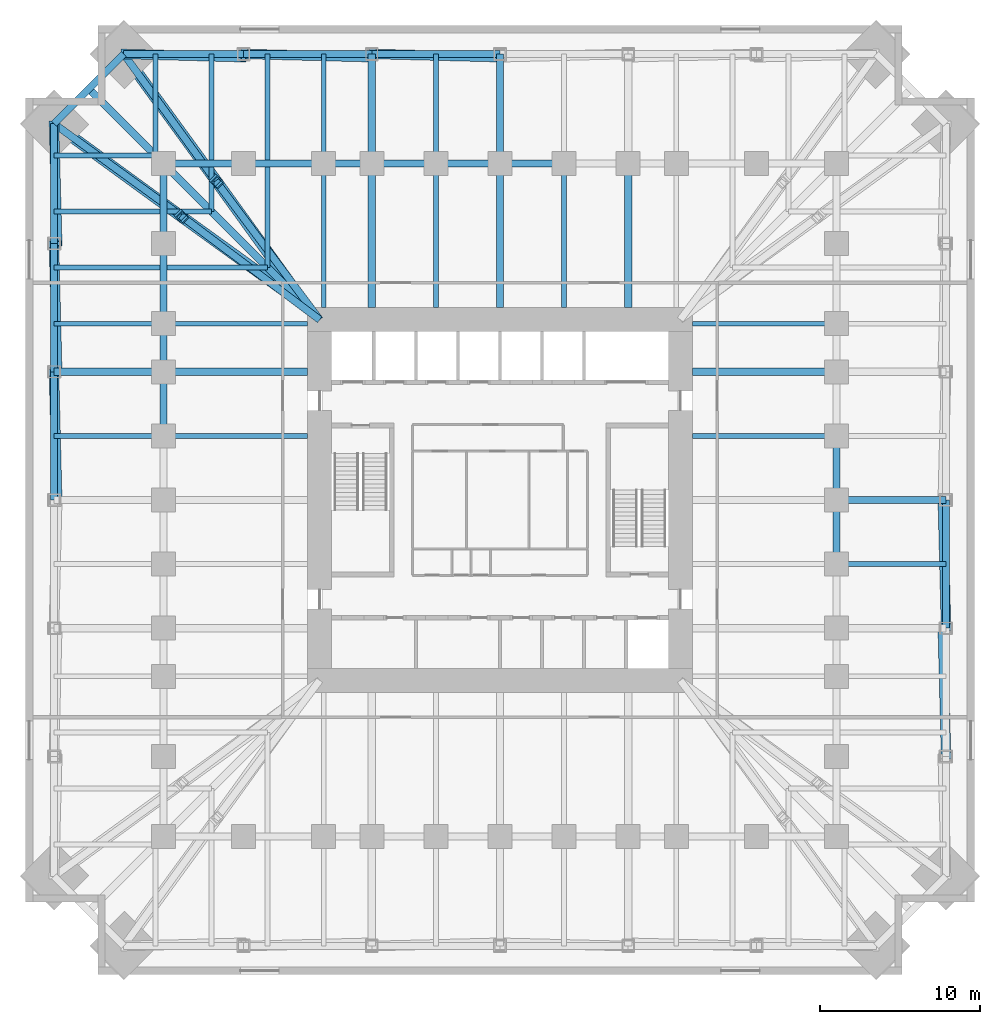
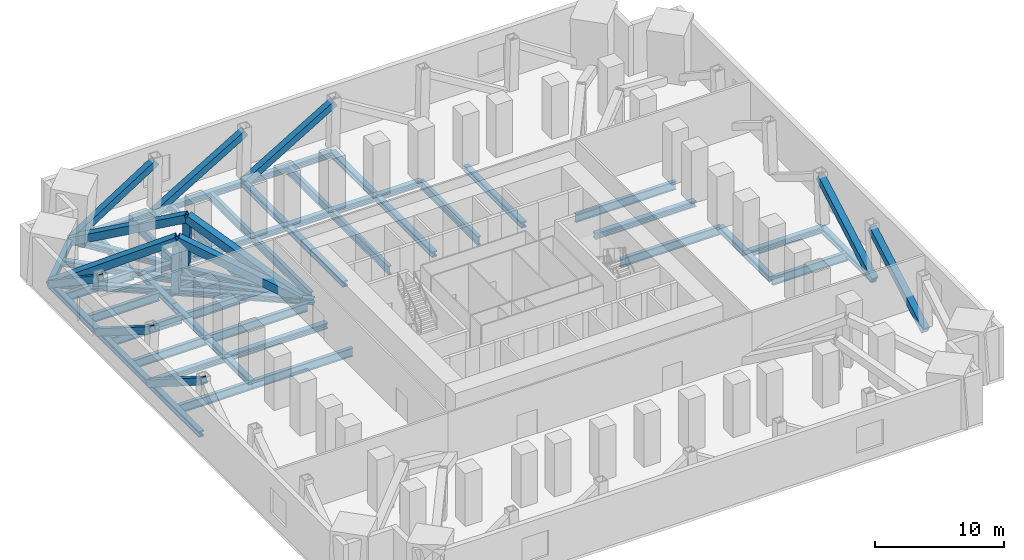
# One storey, part 3 of 9: 46 beams, 25 members.
"""IFC4 building model written with IfcOpenShell, lengths in metres."""

from ifc_helpers import new_model, si_unit, direction, frame, origin, origin_2d, place, context, subcontext, project, spatial, hollow_rectangle, i_section, extrude, material, material_profile, profile_set, type_object, element, save


model = new_model("IFC4")

# Units and contexts
model_context = context("Model", 3, precision=1e-05, world=origin(), true_north=direction((0.0, 1.0)))
body_context = subcontext(model_context, "Body", "Model", "MODEL_VIEW")
ifc_project = project(units=[si_unit("LENGTHUNIT", "METRE"), si_unit("AREAUNIT", "SQUARE_METRE"), si_unit("VOLUMEUNIT", "CUBIC_METRE"), si_unit("PLANEANGLEUNIT", "RADIAN"), si_unit("MASSUNIT", "GRAM", prefix="KILO")], contexts=[model_context])

# Site, building, storey
site_placement = place(None, origin())
site = spatial("IfcSite", under=ifc_project, at=site_placement, CompositionType="ELEMENT")
building_placement = place(site_placement, origin())
building = spatial("IfcBuilding", under=site, at=building_placement, Name="Peilmerk Tower", CompositionType="ELEMENT")
storey_placement = place(building_placement, frame((0.0, 0.0, 76.0)))
storey = spatial("IfcBuildingStorey", under=building, at=storey_placement, Name="L14", CompositionType="ELEMENT", Elevation=76.0)

# Beams
ifc_material = material(Name="Steel S460", Category="steel")
ifc_material_profile_1 = material_profile(ifc_material, i_section(OverallWidth=0.4541015625, OverallDepth=0.569091796875, WebThickness=0.077880859375, FlangeThickness=0.125, at=origin_2d()), Name="HD 400x1086")
ifc_profile_set_1 = profile_set([ifc_material_profile_1], Name="Steel S460")
beam_type_1 = type_object("IfcBeamType", Name="B17 HD 400x1086 edge beam", PredefinedType="SPANDREL", material=ifc_profile_set_1)
beam_1_placement = place(storey_placement, frame((-27.832275390625, 23.482177734375, -0.534423828125), z_axis=(0.707106781187, 0.707106781187, 0.0), x_axis=(-0.707106781187, 0.707106781187, 0.0)))
element("IfcBeam", 1, at=beam_1_placement, inside=storey, type_object=beam_type_1, Name="Notch beam L14", PredefinedType="SPANDREL", context=body_context, shape_type="SweptSolid", body=[
    extrude(i_section(OverallWidth=0.4541015625, OverallDepth=0.569091796875, WebThickness=0.077880859375, FlangeThickness=0.125, at=origin_2d()), origin(), (0.0, 0.0, 1.0), 6.15185546875),
])
ifc_material_profile_2 = material_profile(ifc_material, i_section(OverallWidth=0.302978515625, OverallDepth=0.81396484375, WebThickness=0.02099609375, FlangeThickness=0.0400390625, at=origin_2d()), Name="HEM 800")
ifc_profile_set_2 = profile_set([ifc_material_profile_2], Name="Steel S460")
beam_type_2 = type_object("IfcBeamType", Name="B26 HEM 800 floor beam", PredefinedType="BEAM", material=ifc_profile_set_2)
for number, where, z_axis, x_axis, name in (
    (2, (4.0, 12.0, -0.656982421875), (0.0, 1.0, 0.0), (-1.0, 0.0, 0.0), "Floor beam L14"),
    (3, (-4.0, 12.0, -0.656982421875), (0.0, 1.0, 0.0), (-1.0, 0.0, 0.0), "Floor beam L14"),
):
    element("IfcBeam", number, at=place(storey_placement, frame(where, z_axis=z_axis, x_axis=x_axis)), inside=storey, type_object=beam_type_2, Name=name, PredefinedType="BEAM", context=body_context, shape_type="SweptSolid", body=[
        extrude(i_section(OverallWidth=0.302978515625, OverallDepth=0.81396484375, WebThickness=0.02099609375, FlangeThickness=0.0400390625, at=origin_2d()), origin(), (0.0, 0.0, 1.0), 9.0),
    ])
beam_2_placement = place(storey_placement, frame((-4.0, 21.0, -0.656982421875), z_axis=(0.0, 1.0, 0.0), x_axis=(-1.0, 0.0, 0.0)))
element("IfcBeam", 4, at=beam_2_placement, inside=storey, type_object=beam_type_2, Name="Floor beam L14", PredefinedType="BEAM", context=body_context, shape_type="SweptSolid", body=[
    extrude(i_section(OverallWidth=0.302978515625, OverallDepth=0.81396484375, WebThickness=0.02099609375, FlangeThickness=0.0400390625, at=origin_2d()), origin(), (0.0, 0.0, 1.0), 6.832275390625),
])
beam_3_placement = place(storey_placement, frame((-11.0, 12.0, -0.656982421875), z_axis=(0.0, 1.0, 0.0), x_axis=(-1.0, 0.0, 0.0)))
element("IfcBeam", 5, at=beam_3_placement, inside=storey, type_object=beam_type_2, Name="Floor beam L14", PredefinedType="BEAM", context=body_context, shape_type="SweptSolid", body=[
    extrude(i_section(OverallWidth=0.302978515625, OverallDepth=0.81396484375, WebThickness=0.02099609375, FlangeThickness=0.0400390625, at=origin_2d()), origin(), (0.0, 0.0, 1.0), 9.0),
])
for number, where, z_axis, x_axis, name in (
    (6, (-11.0, 21.0, -0.656982421875), (0.0, 1.0, 0.0), (-1.0, 0.0, 0.0), "Floor beam L14"),
    (7, (21.0, -4.0, -0.656982421875), (1.0, 0.0, 0.0), (0.0, 1.0, 0.0), "Floor beam L14"),
):
    element("IfcBeam", number, at=place(storey_placement, frame(where, z_axis=z_axis, x_axis=x_axis)), inside=storey, type_object=beam_type_2, Name=name, PredefinedType="BEAM", context=body_context, shape_type="SweptSolid", body=[
        extrude(i_section(OverallWidth=0.302978515625, OverallDepth=0.81396484375, WebThickness=0.02099609375, FlangeThickness=0.0400390625, at=origin_2d()), origin(), (0.0, 0.0, 1.0), 6.832275390625),
    ])
for number, where, z_axis, x_axis, name in (
    (8, (12.0, 4.0, -0.656982421875), (1.0, 0.0, 0.0), (0.0, 1.0, 0.0), "Floor beam L14"),
    (9, (12.0, 11.0, -0.656982421875), (1.0, 0.0, 0.0), (0.0, 1.0, 0.0), "Floor beam L14"),
    (10, (-12.0, 11.0, -0.656982421875), (-1.0, 0.0, 0.0), (0.0, -1.0, 0.0), "Floor beam L14"),
):
    element("IfcBeam", number, at=place(storey_placement, frame(where, z_axis=z_axis, x_axis=x_axis)), inside=storey, type_object=beam_type_2, Name=name, PredefinedType="BEAM", context=body_context, shape_type="SweptSolid", body=[
        extrude(i_section(OverallWidth=0.302978515625, OverallDepth=0.81396484375, WebThickness=0.02099609375, FlangeThickness=0.0400390625, at=origin_2d()), origin(), (0.0, 0.0, 1.0), 9.0),
    ])
beam_4_placement = place(storey_placement, frame((-21.0, 11.0, -0.656982421875), z_axis=(-1.0, 0.0, 0.0), x_axis=(0.0, -1.0, 0.0)))
element("IfcBeam", 11, at=beam_4_placement, inside=storey, type_object=beam_type_2, Name="Floor beam L14", PredefinedType="BEAM", context=body_context, shape_type="SweptSolid", body=[
    extrude(i_section(OverallWidth=0.302978515625, OverallDepth=0.81396484375, WebThickness=0.02099609375, FlangeThickness=0.0400390625, at=origin_2d()), origin(), (0.0, 0.0, 1.0), 6.832275390625),
])
beam_5_placement = place(storey_placement, frame((-12.0, 4.0, -0.656982421875), z_axis=(-1.0, 0.0, 0.0), x_axis=(0.0, -1.0, 0.0)))
element("IfcBeam", 12, at=beam_5_placement, inside=storey, type_object=beam_type_2, Name="Floor beam L14", PredefinedType="BEAM", context=body_context, shape_type="SweptSolid", body=[
    extrude(i_section(OverallWidth=0.302978515625, OverallDepth=0.81396484375, WebThickness=0.02099609375, FlangeThickness=0.0400390625, at=origin_2d()), origin(), (0.0, 0.0, 1.0), 9.0),
])
beam_6_placement = place(storey_placement, frame((-21.0, 4.0, -0.656982421875), z_axis=(-1.0, 0.0, 0.0), x_axis=(0.0, -1.0, 0.0)))
element("IfcBeam", 13, at=beam_6_placement, inside=storey, type_object=beam_type_2, Name="Floor beam L14", PredefinedType="BEAM", context=body_context, shape_type="SweptSolid", body=[
    extrude(i_section(OverallWidth=0.302978515625, OverallDepth=0.81396484375, WebThickness=0.02099609375, FlangeThickness=0.0400390625, at=origin_2d()), origin(), (0.0, 0.0, 1.0), 6.832275390625),
])
beam_7_placement = place(storey_placement, frame((-14.5, 14.5, -0.656982421875), z_axis=(0.0, 1.0, 0.0), x_axis=(-1.0, 0.0, 0.0)))
element("IfcBeam", 14, at=beam_7_placement, inside=storey, type_object=beam_type_2, Name="Floor beam L14", PredefinedType="BEAM", context=body_context, shape_type="SweptSolid", body=[
    extrude(i_section(OverallWidth=0.302978515625, OverallDepth=0.81396484375, WebThickness=0.02099609375, FlangeThickness=0.0400390625, at=origin_2d()), origin(), (0.0, 0.0, 1.0), 6.27294921875),
])
beam_8_placement = place(storey_placement, frame((-14.5, 21.22705078125, -0.656982421875), z_axis=(0.0, 1.0, 0.0), x_axis=(-1.0, 0.0, 0.0)))
element("IfcBeam", 15, at=beam_8_placement, inside=storey, type_object=beam_type_2, Name="Floor beam L14", PredefinedType="BEAM", context=body_context, shape_type="SweptSolid", body=[
    extrude(i_section(OverallWidth=0.302978515625, OverallDepth=0.81396484375, WebThickness=0.02099609375, FlangeThickness=0.0400390625, at=origin_2d()), origin(), (0.0, 0.0, 1.0), 6.605224609375),
])
beam_9_placement = place(storey_placement, frame((-14.5, 14.5, -0.656982421875), z_axis=(-1.0, 0.0, 0.0), x_axis=(0.0, -1.0, 0.0)))
element("IfcBeam", 16, at=beam_9_placement, inside=storey, type_object=beam_type_2, Name="Floor beam L14", PredefinedType="BEAM", context=body_context, shape_type="SweptSolid", body=[
    extrude(i_section(OverallWidth=0.302978515625, OverallDepth=0.81396484375, WebThickness=0.02099609375, FlangeThickness=0.0400390625, at=origin_2d()), origin(), (0.0, 0.0, 1.0), 6.27294921875),
])
beam_10_placement = place(storey_placement, frame((-21.22705078125, 14.5, -0.656982421875), z_axis=(-1.0, 0.0, 0.0), x_axis=(0.0, -1.0, 0.0)))
element("IfcBeam", 17, at=beam_10_placement, inside=storey, type_object=beam_type_2, Name="Floor beam L14", PredefinedType="BEAM", context=body_context, shape_type="SweptSolid", body=[
    extrude(i_section(OverallWidth=0.302978515625, OverallDepth=0.81396484375, WebThickness=0.02099609375, FlangeThickness=0.0400390625, at=origin_2d()), origin(), (0.0, 0.0, 1.0), 6.605224609375),
])
beam_11_placement = place(storey_placement, frame((-18.0, 18.0, -0.656982421875), z_axis=(0.0, 1.0, 0.0), x_axis=(-1.0, 0.0, 0.0)))
element("IfcBeam", 18, at=beam_11_placement, inside=storey, type_object=beam_type_2, Name="Floor beam L14", PredefinedType="BEAM", context=body_context, shape_type="SweptSolid", body=[
    extrude(i_section(OverallWidth=0.302978515625, OverallDepth=0.81396484375, WebThickness=0.02099609375, FlangeThickness=0.0400390625, at=origin_2d()), origin(), (0.0, 0.0, 1.0), 2.77294921875),
])
beam_12_placement = place(storey_placement, frame((-18.0, 21.22705078125, -0.656982421875), z_axis=(0.0, 1.0, 0.0), x_axis=(-1.0, 0.0, 0.0)))
element("IfcBeam", 19, at=beam_12_placement, inside=storey, type_object=beam_type_2, Name="Floor beam L14", PredefinedType="BEAM", context=body_context, shape_type="SweptSolid", body=[
    extrude(i_section(OverallWidth=0.302978515625, OverallDepth=0.81396484375, WebThickness=0.02099609375, FlangeThickness=0.0400390625, at=origin_2d()), origin(), (0.0, 0.0, 1.0), 6.605224609375),
])
beam_13_placement = place(storey_placement, frame((-18.0, 18.0, -0.656982421875), z_axis=(-1.0, 0.0, 0.0), x_axis=(0.0, -1.0, 0.0)))
element("IfcBeam", 20, at=beam_13_placement, inside=storey, type_object=beam_type_2, Name="Floor beam L14", PredefinedType="BEAM", context=body_context, shape_type="SweptSolid", body=[
    extrude(i_section(OverallWidth=0.302978515625, OverallDepth=0.81396484375, WebThickness=0.02099609375, FlangeThickness=0.0400390625, at=origin_2d()), origin(), (0.0, 0.0, 1.0), 2.77294921875),
])
beam_14_placement = place(storey_placement, frame((-21.22705078125, 18.0, -0.656982421875), z_axis=(-1.0, 0.0, 0.0), x_axis=(0.0, -1.0, 0.0)))
element("IfcBeam", 21, at=beam_14_placement, inside=storey, type_object=beam_type_2, Name="Floor beam L14", PredefinedType="BEAM", context=body_context, shape_type="SweptSolid", body=[
    extrude(i_section(OverallWidth=0.302978515625, OverallDepth=0.81396484375, WebThickness=0.02099609375, FlangeThickness=0.0400390625, at=origin_2d()), origin(), (0.0, 0.0, 1.0), 6.605224609375),
])
for number, where, z_axis, x_axis, name in (
    (22, (-21.5, 21.5, -0.656982421875), (0.0, 1.0, 0.0), (-1.0, 0.0, 0.0), "Floor beam L14"),
    (23, (-21.5, 21.5, -0.656982421875), (-1.0, 0.0, 0.0), (0.0, -1.0, 0.0), "Floor beam L14"),
):
    element("IfcBeam", number, at=place(storey_placement, frame(where, z_axis=z_axis, x_axis=x_axis)), inside=storey, type_object=beam_type_2, Name=name, PredefinedType="BEAM", context=body_context, shape_type="SweptSolid", body=[
        extrude(i_section(OverallWidth=0.302978515625, OverallDepth=0.81396484375, WebThickness=0.02099609375, FlangeThickness=0.0400390625, at=origin_2d()), origin(), (0.0, 0.0, 1.0), 6.332275390625),
    ])
ifc_material_profile_3 = material_profile(ifc_material, i_section(OverallWidth=0.4541015625, OverallDepth=0.569091796875, WebThickness=0.077880859375, FlangeThickness=0.125, at=origin_2d()), Name="HD 400x1086")
ifc_profile_set_3 = profile_set([ifc_material_profile_3], Name="Steel S460")
beam_type_3 = type_object("IfcBeamType", Name="B9 HD 400x1086 corner girder", PredefinedType="BEAM", material=ifc_profile_set_3)
for number, where, z_axis, x_axis, name in (
    (24, (8.0, 12.0, -0.534423828125), (0.0, 1.0, 0.0), (-1.0, 0.0, 0.0), "Floor girder L14"),
    (25, (0.0, 12.0, -0.534423828125), (0.0, 1.0, 0.0), (-1.0, 0.0, 0.0), "Floor girder L14"),
):
    element("IfcBeam", number, at=place(storey_placement, frame(where, z_axis=z_axis, x_axis=x_axis)), inside=storey, type_object=beam_type_3, Name=name, PredefinedType="BEAM", context=body_context, shape_type="SweptSolid", body=[
        extrude(i_section(OverallWidth=0.4541015625, OverallDepth=0.569091796875, WebThickness=0.077880859375, FlangeThickness=0.125, at=origin_2d()), origin(), (0.0, 0.0, 1.0), 9.0),
    ])
beam_15_placement = place(storey_placement, frame((0.0, 21.0, -0.534423828125), z_axis=(0.0, 1.0, 0.0), x_axis=(-1.0, 0.0, 0.0)))
element("IfcBeam", 26, at=beam_15_placement, inside=storey, type_object=beam_type_3, Name="Floor girder L14", PredefinedType="BEAM", context=body_context, shape_type="SweptSolid", body=[
    extrude(i_section(OverallWidth=0.4541015625, OverallDepth=0.569091796875, WebThickness=0.077880859375, FlangeThickness=0.125, at=origin_2d()), origin(), (0.0, 0.0, 1.0), 6.832275390625),
])
beam_16_placement = place(storey_placement, frame((-8.0, 12.0, -0.534423828125), z_axis=(0.0, 1.0, 0.0), x_axis=(-1.0, 0.0, 0.0)))
element("IfcBeam", 27, at=beam_16_placement, inside=storey, type_object=beam_type_3, Name="Floor girder L14", PredefinedType="BEAM", context=body_context, shape_type="SweptSolid", body=[
    extrude(i_section(OverallWidth=0.4541015625, OverallDepth=0.569091796875, WebThickness=0.077880859375, FlangeThickness=0.125, at=origin_2d()), origin(), (0.0, 0.0, 1.0), 9.0),
])
beam_17_placement = place(storey_placement, frame((-8.0, 21.0, -0.534423828125), z_axis=(0.0, 1.0, 0.0), x_axis=(-1.0, 0.0, 0.0)))
element("IfcBeam", 28, at=beam_17_placement, inside=storey, type_object=beam_type_3, Name="Floor girder L14", PredefinedType="BEAM", context=body_context, shape_type="SweptSolid", body=[
    extrude(i_section(OverallWidth=0.4541015625, OverallDepth=0.569091796875, WebThickness=0.077880859375, FlangeThickness=0.125, at=origin_2d()), origin(), (0.0, 0.0, 1.0), 6.832275390625),
])
for number, where, z_axis, x_axis, name in (
    (29, (4.0, 21.0, -0.534423828125), (-1.0, 0.0, 0.0), (0.0, -1.0, 0.0), "Ring girder L14"),
    (30, (0.0, 21.0, -0.534423828125), (-1.0, 0.0, 0.0), (0.0, -1.0, 0.0), "Ring girder L14"),
    (31, (-4.0, 21.0, -0.534423828125), (-1.0, 0.0, 0.0), (0.0, -1.0, 0.0), "Ring girder L14"),
):
    element("IfcBeam", number, at=place(storey_placement, frame(where, z_axis=z_axis, x_axis=x_axis)), inside=storey, type_object=beam_type_3, Name=name, PredefinedType="BEAM", context=body_context, shape_type="SweptSolid", body=[
        extrude(i_section(OverallWidth=0.4541015625, OverallDepth=0.569091796875, WebThickness=0.077880859375, FlangeThickness=0.125, at=origin_2d()), origin(), (0.0, 0.0, 1.0), 4.0),
    ])
beam_18_placement = place(storey_placement, frame((-8.0, 21.0, -0.534423828125), z_axis=(-1.0, 0.0, 0.0), x_axis=(0.0, -1.0, 0.0)))
element("IfcBeam", 32, at=beam_18_placement, inside=storey, type_object=beam_type_3, Name="Ring girder L14", PredefinedType="BEAM", context=body_context, shape_type="SweptSolid", body=[
    extrude(i_section(OverallWidth=0.4541015625, OverallDepth=0.569091796875, WebThickness=0.077880859375, FlangeThickness=0.125, at=origin_2d()), origin(), (0.0, 0.0, 1.0), 3.0),
])
for number, where, z_axis, x_axis, name in (
    (33, (-11.0, 21.0, -0.534423828125), (-1.0, 0.0, 0.0), (0.0, -1.0, 0.0), "Ring girder L14"),
    (34, (-16.0, 21.0, -0.534423828125), (-1.0, 0.0, 0.0), (0.0, -1.0, 0.0), "Ring girder L14"),
):
    element("IfcBeam", number, at=place(storey_placement, frame(where, z_axis=z_axis, x_axis=x_axis)), inside=storey, type_object=beam_type_3, Name=name, PredefinedType="BEAM", context=body_context, shape_type="SweptSolid", body=[
        extrude(i_section(OverallWidth=0.4541015625, OverallDepth=0.569091796875, WebThickness=0.077880859375, FlangeThickness=0.125, at=origin_2d()), origin(), (0.0, 0.0, 1.0), 5.0),
    ])
beam_19_placement = place(storey_placement, frame((21.0, 0.0, -0.534423828125), z_axis=(1.0, 0.0, 0.0), x_axis=(0.0, 1.0, 0.0)))
element("IfcBeam", 35, at=beam_19_placement, inside=storey, type_object=beam_type_3, Name="Floor girder L14", PredefinedType="BEAM", context=body_context, shape_type="SweptSolid", body=[
    extrude(i_section(OverallWidth=0.4541015625, OverallDepth=0.569091796875, WebThickness=0.077880859375, FlangeThickness=0.125, at=origin_2d()), origin(), (0.0, 0.0, 1.0), 6.832275390625),
])
beam_20_placement = place(storey_placement, frame((12.0, 8.0, -0.534423828125), z_axis=(1.0, 0.0, 0.0), x_axis=(0.0, 1.0, 0.0)))
element("IfcBeam", 36, at=beam_20_placement, inside=storey, type_object=beam_type_3, Name="Floor girder L14", PredefinedType="BEAM", context=body_context, shape_type="SweptSolid", body=[
    extrude(i_section(OverallWidth=0.4541015625, OverallDepth=0.569091796875, WebThickness=0.077880859375, FlangeThickness=0.125, at=origin_2d()), origin(), (0.0, 0.0, 1.0), 9.0),
])
for number, where, z_axis, x_axis, name in (
    (37, (21.0, -4.0, -0.534423828125), (0.0, 1.0, 0.0), (-1.0, 0.0, 0.0), "Ring girder L14"),
    (38, (21.0, 0.0, -0.534423828125), (0.0, 1.0, 0.0), (-1.0, 0.0, 0.0), "Ring girder L14"),
):
    element("IfcBeam", number, at=place(storey_placement, frame(where, z_axis=z_axis, x_axis=x_axis)), inside=storey, type_object=beam_type_3, Name=name, PredefinedType="BEAM", context=body_context, shape_type="SweptSolid", body=[
        extrude(i_section(OverallWidth=0.4541015625, OverallDepth=0.569091796875, WebThickness=0.077880859375, FlangeThickness=0.125, at=origin_2d()), origin(), (0.0, 0.0, 1.0), 4.0),
    ])
beam_21_placement = place(storey_placement, frame((-12.0, 8.0, -0.534423828125), z_axis=(-1.0, 0.0, 0.0), x_axis=(0.0, -1.0, 0.0)))
element("IfcBeam", 39, at=beam_21_placement, inside=storey, type_object=beam_type_3, Name="Floor girder L14", PredefinedType="BEAM", context=body_context, shape_type="SweptSolid", body=[
    extrude(i_section(OverallWidth=0.4541015625, OverallDepth=0.569091796875, WebThickness=0.077880859375, FlangeThickness=0.125, at=origin_2d()), origin(), (0.0, 0.0, 1.0), 9.0),
])
beam_22_placement = place(storey_placement, frame((-21.0, 8.0, -0.534423828125), z_axis=(-1.0, 0.0, 0.0), x_axis=(0.0, -1.0, 0.0)))
element("IfcBeam", 40, at=beam_22_placement, inside=storey, type_object=beam_type_3, Name="Floor girder L14", PredefinedType="BEAM", context=body_context, shape_type="SweptSolid", body=[
    extrude(i_section(OverallWidth=0.4541015625, OverallDepth=0.569091796875, WebThickness=0.077880859375, FlangeThickness=0.125, at=origin_2d()), origin(), (0.0, 0.0, 1.0), 6.832275390625),
])
for number, where, z_axis, x_axis, name in (
    (41, (-21.0, 21.0, -0.534423828125), (0.0, -1.0, 0.0), (1.0, 0.0, 0.0), "Ring girder L14"),
    (42, (-21.0, 16.0, -0.534423828125), (0.0, -1.0, 0.0), (1.0, 0.0, 0.0), "Ring girder L14"),
):
    element("IfcBeam", number, at=place(storey_placement, frame(where, z_axis=z_axis, x_axis=x_axis)), inside=storey, type_object=beam_type_3, Name=name, PredefinedType="BEAM", context=body_context, shape_type="SweptSolid", body=[
        extrude(i_section(OverallWidth=0.4541015625, OverallDepth=0.569091796875, WebThickness=0.077880859375, FlangeThickness=0.125, at=origin_2d()), origin(), (0.0, 0.0, 1.0), 5.0),
    ])
beam_23_placement = place(storey_placement, frame((-21.0, 11.0, -0.534423828125), z_axis=(0.0, -1.0, 0.0), x_axis=(1.0, 0.0, 0.0)))
element("IfcBeam", 43, at=beam_23_placement, inside=storey, type_object=beam_type_3, Name="Ring girder L14", PredefinedType="BEAM", context=body_context, shape_type="SweptSolid", body=[
    extrude(i_section(OverallWidth=0.4541015625, OverallDepth=0.569091796875, WebThickness=0.077880859375, FlangeThickness=0.125, at=origin_2d()), origin(), (0.0, 0.0, 1.0), 3.0),
])
beam_24_placement = place(storey_placement, frame((-21.0, 8.0, -0.534423828125), z_axis=(0.0, -1.0, 0.0), x_axis=(1.0, 0.0, 0.0)))
element("IfcBeam", 44, at=beam_24_placement, inside=storey, type_object=beam_type_3, Name="Ring girder L14", PredefinedType="BEAM", context=body_context, shape_type="SweptSolid", body=[
    extrude(i_section(OverallWidth=0.4541015625, OverallDepth=0.569091796875, WebThickness=0.077880859375, FlangeThickness=0.125, at=origin_2d()), origin(), (0.0, 0.0, 1.0), 4.0),
])
beam_25_placement = place(storey_placement, frame((-11.25, 11.25, -0.534423828125), z_axis=(-0.707106781187, 0.707106781187, 0.0), x_axis=(-0.707106781187, -0.707106781187, 0.0)))
element("IfcBeam", 45, at=beam_25_placement, inside=storey, type_object=beam_type_3, Name="Corner girder L14", PredefinedType="BEAM", context=body_context, shape_type="SweptSolid", body=[
    extrude(i_section(OverallWidth=0.4541015625, OverallDepth=0.569091796875, WebThickness=0.077880859375, FlangeThickness=0.125, at=origin_2d()), origin(), (0.0, 0.0, 1.0), 13.78857421875),
])
beam_26_placement = place(storey_placement, frame((-21.0, 21.0, -0.534423828125), z_axis=(-0.707106781187, 0.707106781187, 0.0), x_axis=(-0.707106781187, -0.707106781187, 0.0)))
element("IfcBeam", 46, at=beam_26_placement, inside=storey, type_object=beam_type_3, Name="Corner girder L14", PredefinedType="BEAM", context=body_context, shape_type="SweptSolid", body=[
    extrude(i_section(OverallWidth=0.4541015625, OverallDepth=0.569091796875, WebThickness=0.077880859375, FlangeThickness=0.125, at=origin_2d()), origin(), (0.0, 0.0, 1.0), 6.58642578125),
])

# Members
ifc_material_profile_4 = material_profile(ifc_material, i_section(OverallWidth=0.4541015625, OverallDepth=0.569091796875, WebThickness=0.077880859375, FlangeThickness=0.125, at=origin_2d()), Name="HD 400x1086")
ifc_profile_set_4 = profile_set([ifc_material_profile_4], Name="Steel S460")
member_type_1 = type_object("IfcMemberType", Name="M1 HD 400x1086 belt truss chord", PredefinedType="CHORD", material=ifc_profile_set_4)
for number, where, z_axis, x_axis, name in (
    (47, (0.0, 27.832275390625, -0.534423828125), (-1.0, 0.0, 0.0), (0.0, -1.0, 0.0), "Belt truss chord L14"),
    (48, (-8.0, 27.832275390625, -0.534423828125), (-1.0, 0.0, 0.0), (0.0, -1.0, 0.0), "Belt truss chord L14"),
):
    element("IfcMember", number, at=place(storey_placement, frame(where, z_axis=z_axis, x_axis=x_axis)), inside=storey, type_object=member_type_1, Name=name, PredefinedType="CHORD", context=body_context, shape_type="SweptSolid", body=[
        extrude(i_section(OverallWidth=0.4541015625, OverallDepth=0.569091796875, WebThickness=0.077880859375, FlangeThickness=0.125, at=origin_2d()), origin(), (0.0, 0.0, 1.0), 8.0),
    ])
member_1_placement = place(storey_placement, frame((-16.0, 27.832275390625, -0.534423828125), z_axis=(-1.0, 0.0, 0.0), x_axis=(0.0, -1.0, 0.0)))
element("IfcMember", 49, at=member_1_placement, inside=storey, type_object=member_type_1, Name="Belt truss chord L14", PredefinedType="CHORD", context=body_context, shape_type="SweptSolid", body=[
    extrude(i_section(OverallWidth=0.4541015625, OverallDepth=0.569091796875, WebThickness=0.077880859375, FlangeThickness=0.125, at=origin_2d()), origin(), (0.0, 0.0, 1.0), 7.482177734375),
])
member_2_placement = place(storey_placement, frame((27.832275390625, -8.0, -0.534423828125), z_axis=(0.0, 1.0, 0.0), x_axis=(-1.0, 0.0, 0.0)))
element("IfcMember", 50, at=member_2_placement, inside=storey, type_object=member_type_1, Name="Belt truss chord L14", PredefinedType="CHORD", context=body_context, shape_type="SweptSolid", body=[
    extrude(i_section(OverallWidth=0.4541015625, OverallDepth=0.569091796875, WebThickness=0.077880859375, FlangeThickness=0.125, at=origin_2d()), origin(), (0.0, 0.0, 1.0), 8.0),
])
member_3_placement = place(storey_placement, frame((-27.832275390625, 23.482177734375, -0.534423828125), z_axis=(0.0, -1.0, 0.0), x_axis=(1.0, 0.0, 0.0)))
element("IfcMember", 51, at=member_3_placement, inside=storey, type_object=member_type_1, Name="Belt truss chord L14", PredefinedType="CHORD", context=body_context, shape_type="SweptSolid", body=[
    extrude(i_section(OverallWidth=0.4541015625, OverallDepth=0.569091796875, WebThickness=0.077880859375, FlangeThickness=0.125, at=origin_2d()), origin(), (0.0, 0.0, 1.0), 7.482177734375),
])
for number, where, z_axis, x_axis, name in (
    (52, (-27.832275390625, 16.0, -0.534423828125), (0.0, -1.0, 0.0), (1.0, 0.0, 0.0), "Belt truss chord L14"),
    (53, (-27.832275390625, 8.0, -0.534423828125), (0.0, -1.0, 0.0), (1.0, 0.0, 0.0), "Belt truss chord L14"),
):
    element("IfcMember", number, at=place(storey_placement, frame(where, z_axis=z_axis, x_axis=x_axis)), inside=storey, type_object=member_type_1, Name=name, PredefinedType="CHORD", context=body_context, shape_type="SweptSolid", body=[
        extrude(i_section(OverallWidth=0.4541015625, OverallDepth=0.569091796875, WebThickness=0.077880859375, FlangeThickness=0.125, at=origin_2d()), origin(), (0.0, 0.0, 1.0), 8.0),
    ])
member_4_placement = place(storey_placement, frame((-11.25, 11.25, -0.534423828125), z_axis=(-0.599509240207, 0.800367834752, 0.0), x_axis=(-0.800367834752, -0.599509240207, 0.0)))
element("IfcMember", 54, at=member_4_placement, inside=storey, type_object=member_type_1, Name="Outrigger chord T1 NW", PredefinedType="CHORD", context=body_context, shape_type="SweptSolid", body=[
    extrude(i_section(OverallWidth=0.4541015625, OverallDepth=0.569091796875, WebThickness=0.077880859375, FlangeThickness=0.125, at=origin_2d()), origin(), (0.0, 0.0, 1.0), 10.82763671875),
])
member_5_placement = place(storey_placement, frame((-17.7412109375, 19.916015625, -0.534423828125), z_axis=(-0.587080072202, 0.809528868431, 0.0), x_axis=(-0.809528868431, -0.587080072202, 0.0)))
element("IfcMember", 55, at=member_5_placement, inside=storey, type_object=member_type_1, Name="Outrigger chord T1 NW", PredefinedType="CHORD", context=body_context, shape_type="SweptSolid", body=[
    extrude(i_section(OverallWidth=0.4541015625, OverallDepth=0.569091796875, WebThickness=0.077880859375, FlangeThickness=0.125, at=origin_2d()), origin(), (0.0, 0.0, 1.0), 9.77880859375),
])
member_6_placement = place(storey_placement, frame((-11.25, 11.25, -0.534423828125), z_axis=(-0.800367834752, 0.599509240207, 0.0), x_axis=(-0.599509240207, -0.800367834752, 0.0)))
element("IfcMember", 56, at=member_6_placement, inside=storey, type_object=member_type_1, Name="Outrigger chord T1 NW", PredefinedType="CHORD", context=body_context, shape_type="SweptSolid", body=[
    extrude(i_section(OverallWidth=0.4541015625, OverallDepth=0.569091796875, WebThickness=0.077880859375, FlangeThickness=0.125, at=origin_2d()), origin(), (0.0, 0.0, 1.0), 10.82763671875),
])
member_7_placement = place(storey_placement, frame((-19.916015625, 17.7412109375, -0.534423828125), z_axis=(-0.809528868431, 0.587080072202, 0.0), x_axis=(-0.587080072202, -0.809528868431, 0.0)))
element("IfcMember", 57, at=member_7_placement, inside=storey, type_object=member_type_1, Name="Outrigger chord T1 NW", PredefinedType="CHORD", context=body_context, shape_type="SweptSolid", body=[
    extrude(i_section(OverallWidth=0.4541015625, OverallDepth=0.569091796875, WebThickness=0.077880859375, FlangeThickness=0.125, at=origin_2d()), origin(), (0.0, 0.0, 1.0), 9.77880859375),
])
ifc_material_profile_5 = material_profile(ifc_material, hollow_rectangle(XDim=0.60009765625, YDim=0.60009765625, WallThickness=0.06005859375, at=origin_2d()), Name="BOX 600x600x60")
ifc_profile_set_5 = profile_set([ifc_material_profile_5], Name="Steel S460")
member_type_2 = type_object("IfcMemberType", Name="M2 BOX 600x600x60 belt truss diagonal", PredefinedType="BRACE", material=ifc_profile_set_5)
for number, where, z_axis, x_axis, name in (
    (58, (-8.0, 27.832275390625, -0.534423828125), (0.847804632209, -0.021371051825, 0.529877895131), (0.025199514677, 0.999682441808, 0.0), "Belt truss diagonal T1 N"),
    (59, (-16.0, 27.832275390625, -0.534423828125), (0.847804632209, -0.021371051825, 0.529877895131), (0.025199514677, 0.999682441808, 0.0), "Belt truss diagonal T1 N"),
):
    element("IfcMember", number, at=place(storey_placement, frame(where, z_axis=z_axis, x_axis=x_axis)), inside=storey, type_object=member_type_2, Name=name, PredefinedType="BRACE", context=body_context, shape_type="SweptSolid", body=[
        extrude(hollow_rectangle(XDim=0.60009765625, YDim=0.60009765625, WallThickness=0.06005859375, at=origin_2d()), origin(), (0.0, 0.0, 1.0), 9.43603515625),
    ])
member_8_placement = place(storey_placement, frame((-23.482177734375, 27.832275390625, -0.534423828125), z_axis=(0.831231738484, -0.02240341358, 0.555474467457), x_axis=(0.026942283238, 0.999636990799, 0.0)))
element("IfcMember", 60, at=member_8_placement, inside=storey, type_object=member_type_2, Name="Belt truss diagonal T1 N", PredefinedType="BRACE", context=body_context, shape_type="SweptSolid", body=[
    extrude(hollow_rectangle(XDim=0.60009765625, YDim=0.60009765625, WallThickness=0.06005859375, at=origin_2d()), origin(), (0.0, 0.0, 1.0), 9.001220703125),
])
for number, where, z_axis, x_axis, name in (
    (61, (27.832275390625, -16.0, -0.534423828125), (-0.021371051825, 0.847804632209, 0.529877895131), (-0.999682441808, -0.025199514677, 0.0), "Belt truss diagonal T1 E"),
    (62, (27.832275390625, -8.0, -0.534423828125), (-0.021371051825, 0.847804632209, 0.529877895131), (-0.999682441808, -0.025199514677, 0.0), "Belt truss diagonal T1 E"),
):
    element("IfcMember", number, at=place(storey_placement, frame(where, z_axis=z_axis, x_axis=x_axis)), inside=storey, type_object=member_type_2, Name=name, PredefinedType="BRACE", context=body_context, shape_type="SweptSolid", body=[
        extrude(hollow_rectangle(XDim=0.60009765625, YDim=0.60009765625, WallThickness=0.06005859375, at=origin_2d()), origin(), (0.0, 0.0, 1.0), 9.43603515625),
    ])
member_9_placement = place(storey_placement, frame((-27.832275390625, 23.482177734375, -0.534423828125), z_axis=(0.02240341358, -0.831231738484, 0.555474467457), x_axis=(0.999636990799, 0.026942283238, 0.0)))
element("IfcMember", 63, at=member_9_placement, inside=storey, type_object=member_type_2, Name="Belt truss diagonal T1 W", PredefinedType="BRACE", context=body_context, shape_type="SweptSolid", body=[
    extrude(hollow_rectangle(XDim=0.60009765625, YDim=0.60009765625, WallThickness=0.06005859375, at=origin_2d()), origin(), (0.0, 0.0, 1.0), 9.001220703125),
])
for number, where, z_axis, x_axis, name in (
    (64, (-27.832275390625, 16.0, -0.534423828125), (0.021371051825, -0.847804632209, 0.529877895131), (0.999682441808, 0.025199514677, 0.0), "Belt truss diagonal T1 W"),
    (65, (-27.832275390625, 8.0, -0.534423828125), (0.021371051825, -0.847804632209, 0.529877895131), (0.999682441808, 0.025199514677, 0.0), "Belt truss diagonal T1 W"),
):
    element("IfcMember", number, at=place(storey_placement, frame(where, z_axis=z_axis, x_axis=x_axis)), inside=storey, type_object=member_type_2, Name=name, PredefinedType="BRACE", context=body_context, shape_type="SweptSolid", body=[
        extrude(hollow_rectangle(XDim=0.60009765625, YDim=0.60009765625, WallThickness=0.06005859375, at=origin_2d()), origin(), (0.0, 0.0, 1.0), 9.43603515625),
    ])
ifc_material_profile_6 = material_profile(ifc_material, hollow_rectangle(XDim=0.60009765625, YDim=0.60009765625, WallThickness=0.06005859375, at=origin_2d()), Name="BOX 600x600x60")
ifc_profile_set_6 = profile_set([ifc_material_profile_6], Name="Steel S460")
member_type_3 = type_object("IfcMemberType", Name="M3 BOX 600x600x60 outrigger post", PredefinedType="POST", material=ifc_profile_set_6)
for number, where, z_axis, x_axis, name in (
    (66, (-17.7412109375, 19.916015625, -0.534423828125), (0.020157839556, -0.020109031228, 0.999594561994), (0.706249163234, 0.707963360232, 0.0), "Outrigger post T1 NW"),
    (67, (-19.916015625, 17.7412109375, -0.534423828125), (0.020109031228, -0.020157839556, 0.999594561994), (0.707963360232, 0.706249163234, 0.0), "Outrigger post T1 NW"),
):
    element("IfcMember", number, at=place(storey_placement, frame(where, z_axis=z_axis, x_axis=x_axis)), inside=storey, type_object=member_type_3, Name=name, PredefinedType="POST", context=body_context, shape_type="SweptSolid", body=[
        extrude(hollow_rectangle(XDim=0.60009765625, YDim=0.60009765625, WallThickness=0.06005859375, at=origin_2d()), origin(), (0.0, 0.0, 1.0), 5.001953125),
    ])
ifc_material_profile_7 = material_profile(ifc_material, hollow_rectangle(XDim=0.699951171875, YDim=0.699951171875, WallThickness=0.080078125, at=origin_2d()), Name="BOX 700x700x80")
ifc_profile_set_7 = profile_set([ifc_material_profile_7], Name="Steel S460")
member_type_4 = type_object("IfcMemberType", Name="M4 BOX 700x700x80 outrigger diagonal", PredefinedType="BRACE", material=ifc_profile_set_7)
member_10_placement = place(storey_placement, frame((-12.0, 12.0, -0.534423828125), z_axis=(-0.519470675287, 0.719789432424, 0.460492552044), x_axis=(-0.810880899672, -0.585211215329, 0.0)))
element("IfcMember", 68, at=member_10_placement, inside=storey, type_object=member_type_4, Name="Outrigger diagonal T1", PredefinedType="BRACE", context=body_context, shape_type="SweptSolid", body=[
    extrude(hollow_rectangle(XDim=0.699951171875, YDim=0.699951171875, WallThickness=0.080078125, at=origin_2d()), origin(), (0.0, 0.0, 1.0), 10.85791015625),
])
member_11_placement = place(storey_placement, frame((-23.482177734375, 27.832275390625, -0.534423828125), z_axis=(0.52589034448, -0.721692629626, 0.450110090896), x_axis=(0.808190809799, 0.588920720434, 0.0)))
element("IfcMember", 69, at=member_11_placement, inside=storey, type_object=member_type_4, Name="Outrigger diagonal T1", PredefinedType="BRACE", context=body_context, shape_type="SweptSolid", body=[
    extrude(hollow_rectangle(XDim=0.699951171875, YDim=0.699951171875, WallThickness=0.080078125, at=origin_2d()), origin(), (0.0, 0.0, 1.0), 11.1083984375),
])
member_12_placement = place(storey_placement, frame((-12.0, 12.0, -0.534423828125), z_axis=(-0.719789432424, 0.519470675287, 0.460492552044), x_axis=(-0.585211215329, -0.810880899672, 0.0)))
element("IfcMember", 70, at=member_12_placement, inside=storey, type_object=member_type_4, Name="Outrigger diagonal T1", PredefinedType="BRACE", context=body_context, shape_type="SweptSolid", body=[
    extrude(hollow_rectangle(XDim=0.699951171875, YDim=0.699951171875, WallThickness=0.080078125, at=origin_2d()), origin(), (0.0, 0.0, 1.0), 10.85791015625),
])
member_13_placement = place(storey_placement, frame((-27.832275390625, 23.482177734375, -0.534423828125), z_axis=(0.721692629626, -0.52589034448, 0.450110090896), x_axis=(0.588920720434, 0.808190809799, 0.0)))
element("IfcMember", 71, at=member_13_placement, inside=storey, type_object=member_type_4, Name="Outrigger diagonal T1", PredefinedType="BRACE", context=body_context, shape_type="SweptSolid", body=[
    extrude(hollow_rectangle(XDim=0.699951171875, YDim=0.699951171875, WallThickness=0.080078125, at=origin_2d()), origin(), (0.0, 0.0, 1.0), 11.1083984375),
])

save(model, "model.ifc")
